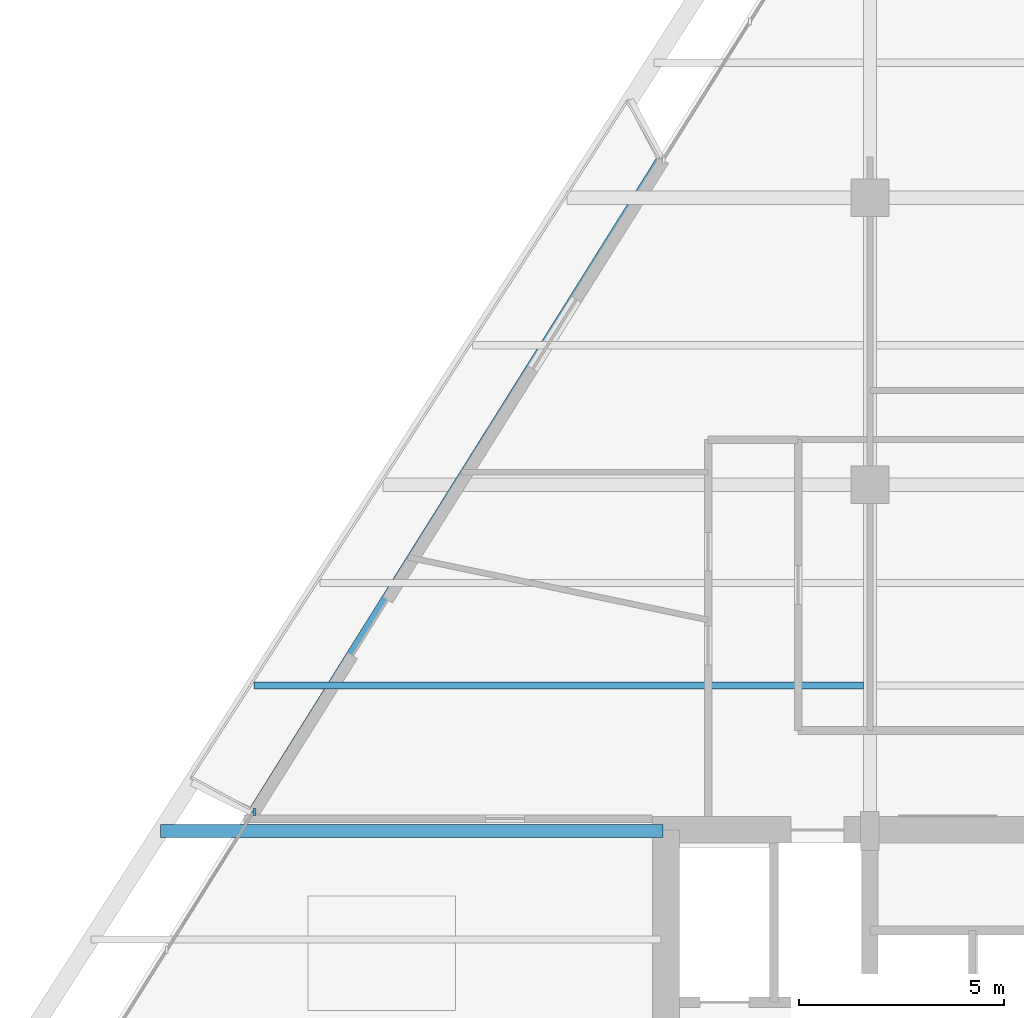
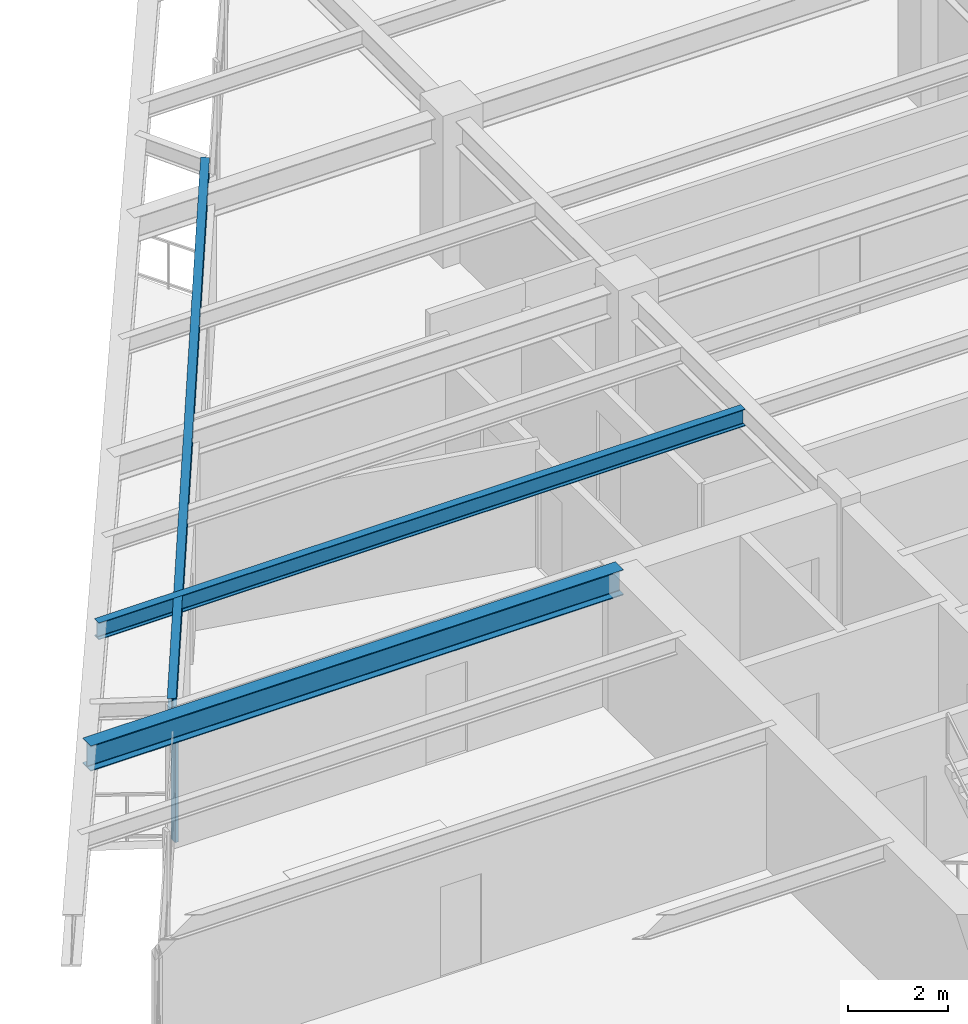
# One storey, part 4 of 15: 3 beams, 1 member, 1 element without a shape of its own.
"""IFC4 building model written with IfcOpenShell, lengths in metres."""

from ifc_helpers import new_model, si_unit, direction, frame, origin, origin_2d, place, context, subcontext, project, spatial, rectangle, i_section, extrude, source, transform, mapped, material, material_profile, profile_set, type_object, element, aggregate, save


model = new_model("IFC4")

# Units and contexts
model_context = context("Model", 3, precision=1e-05, world=origin(), true_north=direction((0.0, 1.0)))
body_context = subcontext(model_context, "Body", "Model", "MODEL_VIEW")
ifc_project = project(units=[si_unit("LENGTHUNIT", "METRE"), si_unit("AREAUNIT", "SQUARE_METRE"), si_unit("VOLUMEUNIT", "CUBIC_METRE"), si_unit("PLANEANGLEUNIT", "RADIAN"), si_unit("MASSUNIT", "GRAM", prefix="KILO")], contexts=[model_context])

# Site, building, storey
site_placement = place(None, origin())
site = spatial("IfcSite", under=ifc_project, at=site_placement, CompositionType="ELEMENT")
building_placement = place(site_placement, origin())
building = spatial("IfcBuilding", under=site, at=building_placement, Name="Varnakhor Terracotta Tower", CompositionType="ELEMENT")
storey_placement = place(building_placement, frame((0.0, 0.0, 174.699951171875)))
storey = spatial("IfcBuildingStorey", under=building, at=storey_placement, Name="L44", CompositionType="ELEMENT", Elevation=174.699951171875)

# Beams
ifc_material_1 = material(Name="Steel S355", Category="steel")
ifc_material_profile_1 = material_profile(ifc_material_1, i_section(OverallWidth=0.179931640625, OverallDepth=0.39990234375, WebThickness=0.008544921875, FlangeThickness=0.013427734375, FilletRadius=0.01806640625, at=origin_2d()), Name="IPE400")
ifc_profile_set_1 = profile_set([ifc_material_profile_1], Name="Steel S355")
beam_type_1 = type_object("IfcBeamType", Name="JST-IPE400", PredefinedType="JOIST", material=ifc_profile_set_1)
shared_shape_1 = source(origin(), body_context, "Body", "SweptSolid", [
    extrude(i_section(OverallWidth=0.179931640625, OverallDepth=0.39990234375, WebThickness=0.008544921875, FlangeThickness=0.013427734375, FilletRadius=0.01806640625, at=origin_2d()), origin(), (0.0, 0.0, 1.0), 18.81982421875),
])
beam_1_placement = place(storey_placement, frame((-10.608642578125, 32.467041015625, 3.27001953125), z_axis=(-0.530368533609, -0.847767195967, 0.0), x_axis=(0.847767195967, -0.530368533609, 0.0)))
element("IfcBeam", 1, at=beam_1_placement, inside=storey, type_object=beam_type_1, Name="L44 Loggia Edge Beam 2", PredefinedType="JOIST", context=body_context, shape_type="MappedRepresentation", body=[
    mapped(shared_shape_1, transform((0.0, 0.0, 0.0), scale=1.0)),
])
ifc_material_profile_2 = material_profile(ifc_material_1, i_section(OverallWidth=0.324951171875, OverallDepth=0.615966796875, WebThickness=0.013916015625, FlangeThickness=0.02197265625, FilletRadius=0.01806640625, at=origin_2d()), Name="W24X117")
ifc_profile_set_2 = profile_set([ifc_material_profile_2], Name="Steel S355")
beam_type_2 = type_object("IfcBeamType", Name="BM-W24X117", PredefinedType="BEAM", material=ifc_profile_set_2)
shared_shape_2 = source(origin(), body_context, "Body", "SweptSolid", [
    extrude(i_section(OverallWidth=0.324951171875, OverallDepth=0.615966796875, WebThickness=0.013916015625, FlangeThickness=0.02197265625, FilletRadius=0.01806640625, at=origin_2d()), origin(), (0.0, 0.0, 1.0), 12.26123046875),
])
beam_2_placement = place(storey_placement, frame((-22.811279296875, 16.050048828125, 3.162109375), z_axis=(1.0, 0.0, 0.0), x_axis=(0.0, 1.0, 0.0)))
element("IfcBeam", 2, at=beam_2_placement, inside=storey, type_object=beam_type_2, Name="L44 Wing Girder W", PredefinedType="BEAM", context=body_context, shape_type="MappedRepresentation", body=[
    mapped(shared_shape_2, transform((0.0, 0.0, 0.0), scale=1.0)),
])
ifc_material_profile_3 = material_profile(ifc_material_1, i_section(OverallWidth=0.179931640625, OverallDepth=0.4130859375, WebThickness=0.009765625, FlangeThickness=0.01611328125, FilletRadius=0.01806640625, at=origin_2d()), Name="W16X50")
ifc_profile_set_3 = profile_set([ifc_material_profile_3], Name="Steel S355")
beam_type_3 = type_object("IfcBeamType", Name="JST-W16X50", PredefinedType="JOIST", material=ifc_profile_set_3)
shared_shape_3 = source(origin(), body_context, "Body", "SweptSolid", [
    extrude(i_section(OverallWidth=0.179931640625, OverallDepth=0.4130859375, WebThickness=0.009765625, FlangeThickness=0.01611328125, FilletRadius=0.01806640625, at=origin_2d()), origin(), (0.0, 0.0, 1.0), 14.872802734375),
])
beam_3_placement = place(storey_placement, frame((-20.53125, 19.60009765625, 3.263427734375), z_axis=(1.0, 0.0, 0.0), x_axis=(0.0, 1.0, 0.0)))
element("IfcBeam", 3, at=beam_3_placement, inside=storey, type_object=beam_type_3, Name="L44 Composite Floor Joist 4-1", PredefinedType="JOIST", context=body_context, shape_type="MappedRepresentation", body=[
    mapped(shared_shape_3, transform((0.0, 0.0, 0.0), scale=1.0)),
])

# Curtain wall, member
ifc_material_2 = material(Name="Anodised Aluminium Curtain Wall System", Category="aluminium")
curtain_wall_type = type_object("IfcCurtainWallType", Name="CW-SYS-MID-OFFICE", PredefinedType="NOTDEFINED", material=ifc_material_2)
curtain_wall_placement = place(storey_placement, origin())
curtain_wall = element("IfcCurtainWall", 4, at=curtain_wall_placement, inside=storey, type_object=curtain_wall_type, Name="L44 W Facet Curtain Wall 1", PredefinedType="NOTDEFINED")
ifc_material_3 = material(Name="Anodised Aluminium 6063-T6", Category="aluminium")
ifc_material_profile_4 = material_profile(ifc_material_3, rectangle(XDim=0.070068359375, YDim=0.175048828125, at=origin_2d()), Name="ALU MULLION 70x175")
ifc_profile_set_4 = profile_set([ifc_material_profile_4], Name="Anodised Aluminium 6063-T6")
member_type = type_object("IfcMemberType", Name="CWM-03", PredefinedType="MULLION", material=ifc_profile_set_4)
shared_shape_4 = source(origin(), body_context, "Body", "SweptSolid", [
    extrude(rectangle(XDim=0.070068359375, YDim=0.175048828125, at=origin_2d()), origin(), (0.0, 0.0, 1.0), 3.050048828125),
])
member_placement = place(storey_placement, frame((-20.519287109375, 16.51416015625, 0.0), z_axis=(0.0, 0.0, 1.0), x_axis=(1.0, 0.0, 0.0)))
member = element("IfcMember", 5, at=member_placement, type_object=member_type, Name="L44 W Loggia Jamb Closure Mullion 1", PredefinedType="MULLION", context=body_context, shape_type="MappedRepresentation", body=[
    mapped(shared_shape_4, transform((0.0, 0.0, 0.0), scale=1.0)),
])
aggregate(curtain_wall, [member])

save(model, "model.ifc")
